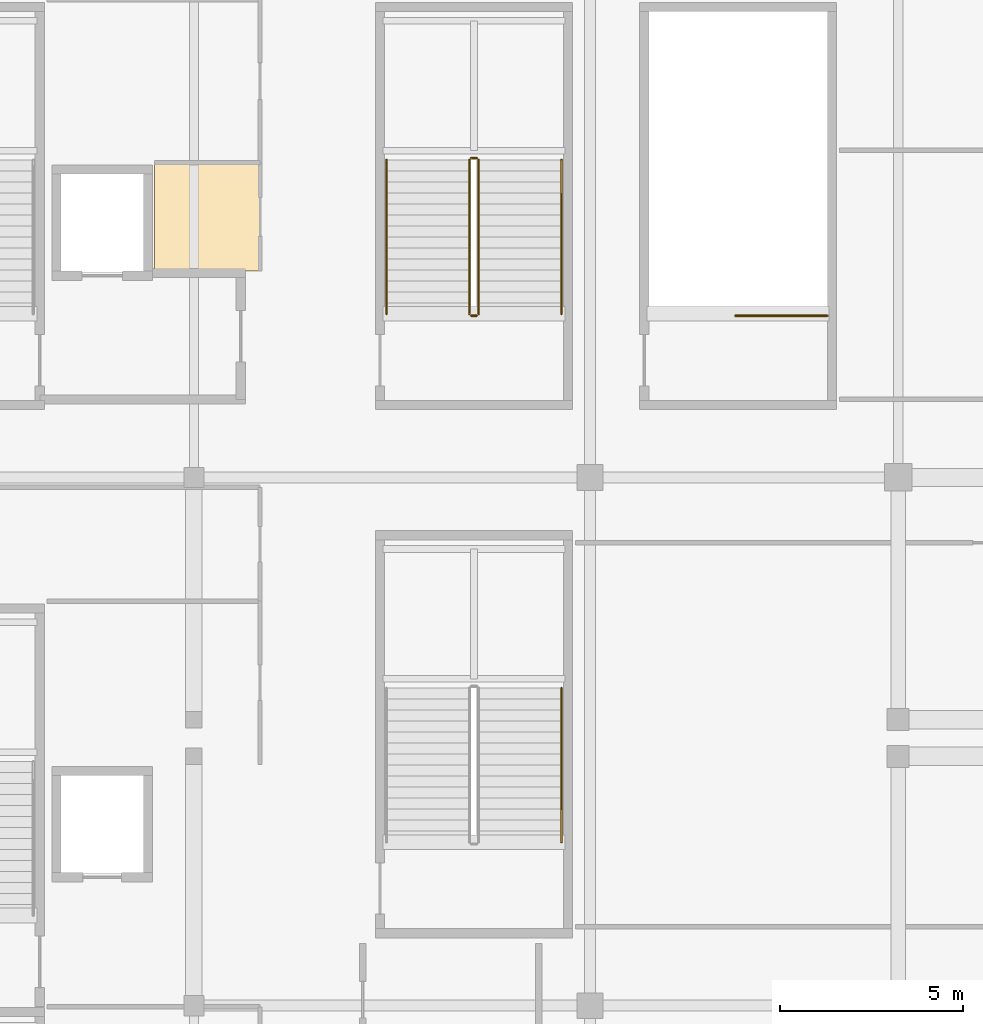
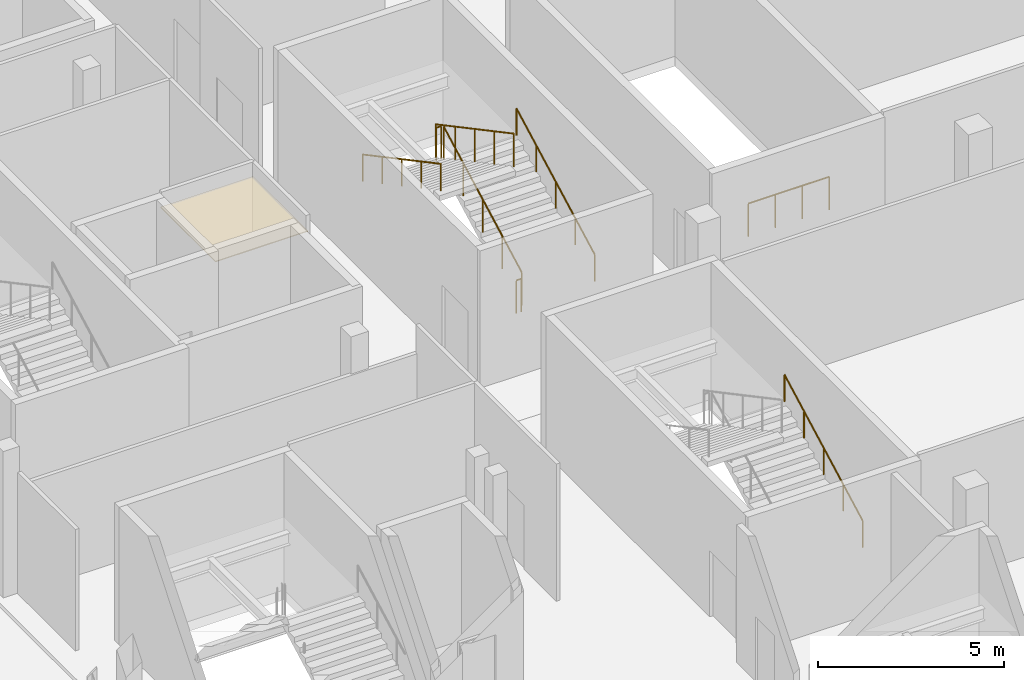
# One storey, part 105 of 129: 8 railings, 1 covering.
"""IFC4 building model written with IfcOpenShell, lengths in metres."""

from ifc_helpers import new_model, si_unit, direction, frame, origin, origin_2d, place, context, subcontext, project, spatial, polyline, circle, outline, extrude, material, layer, layer_set, type_object, element, save


model = new_model("IFC4")

# Units and contexts
model_context = context("Model", 3, precision=1e-05, world=origin(), true_north=direction((0.0, 1.0)))
body_context = subcontext(model_context, "Body", "Model", "MODEL_VIEW")
ifc_project = project(units=[si_unit("LENGTHUNIT", "METRE"), si_unit("AREAUNIT", "SQUARE_METRE"), si_unit("VOLUMEUNIT", "CUBIC_METRE"), si_unit("PLANEANGLEUNIT", "RADIAN"), si_unit("MASSUNIT", "GRAM", prefix="KILO")], contexts=[model_context])

# Site, building, storey
site_placement = place(None, origin())
site = spatial("IfcSite", under=ifc_project, at=site_placement, CompositionType="ELEMENT")
building_placement = place(site_placement, origin())
building = spatial("IfcBuilding", under=site, at=building_placement, Name="Koshinbarg Plaza Stadium", CompositionType="ELEMENT")
storey_placement = place(building_placement, frame((0.0, 0.0, 5.39990234375)))
storey = spatial("IfcBuildingStorey", under=building, at=storey_placement, Name="L01", CompositionType="ELEMENT", Elevation=5.39990234375)

# Covering
ifc_material_1 = material(Name="Perforated gypsum acoustic ceiling board")
ifc_layer = layer(ifc_material_1, 0.030029296875)
ifc_layer_set = layer_set([ifc_layer], Name="Perforated gypsum acoustic ceiling board")
covering_type = type_object("IfcCoveringType", Name="COV-CEIL-01", PredefinedType="CEILING", material=ifc_layer_set)
covering_placement = place(storey_placement, frame((0.0, 0.0, 3.9501953125)))
element("IfcCovering", 1, at=covering_placement, inside=storey, type_object=covering_type, Name="L01 Supporters' Club Lounge acoustic ceiling 006", PredefinedType="CEILING", context=body_context, shape_type="SweptSolid", body=[
    extrude(outline(polyline([(34.330078125, 88.72998046875), (37.199951171875, 88.72998046875), (37.199951171875, 91.679931640625), (34.330078125, 91.679931640625), (34.330078125, 88.72998046875)])), origin(), (0.0, 0.0, 1.0), 0.02978515625),
])

# Railings
ifc_material_2 = material(Name="Galvanized painted steel guardrail", Category="steel")
railing_type_1 = type_object("IfcRailingType", Name="RL-GUARD-1100", PredefinedType="GUARDRAIL", material=ifc_material_2)
railing_1_placement = place(storey_placement, frame((43.159912109375, 87.56005859375, 0.16015625)))
element("IfcRailing", 2, at=railing_1_placement, inside=storey, type_object=railing_type_1, Name="L01 VX05 stair guard 1", PredefinedType="GUARDRAIL", context=body_context, shape_type="SweptSolid", body=[
    extrude(circle(Radius=0.02392578125, at=origin_2d()), frame((0.0, 0.0, 1.076171875), z_axis=(0.0, 0.882351521365, 0.470590897432), x_axis=(-1.0, 0.0, 0.0)), (0.0, 0.0, 1.0), 4.760009765625),
    extrude(circle(Radius=0.02099609375, at=origin_2d()), origin(), (0.0, 0.0, 1.0), 1.052001953125),
    extrude(circle(Radius=0.02099609375, at=origin_2d()), frame((0.0, 1.050048828125, 0.56005859375)), (0.0, 0.0, 1.0), 1.052001953125),
    extrude(circle(Radius=0.02099609375, at=origin_2d()), frame((0.0, 2.10009765625, 1.1201171875)), (0.0, 0.0, 1.0), 1.052001953125),
    extrude(circle(Radius=0.02099609375, at=origin_2d()), frame((0.0, 3.14990234375, 1.679931640625)), (0.0, 0.0, 1.0), 1.052001953125),
    extrude(circle(Radius=0.02099609375, at=origin_2d()), frame((0.0, 4.199951171875, 2.239990234375)), (0.0, 0.0, 1.0), 1.052001953125),
])
railing_2_placement = place(storey_placement, frame((43.110107421875, 91.81005859375, 2.400146484375)))
element("IfcRailing", 3, at=railing_2_placement, inside=storey, type_object=railing_type_1, Name="L01 VX05 stair guard 2", PredefinedType="GUARDRAIL", context=body_context, shape_type="SweptSolid", body=[
    extrude(circle(Radius=0.02392578125, at=origin_2d()), frame((0.0, 0.0, 1.076171875), z_axis=(-1.0, 0.0, 0.0), x_axis=(0.0, -1.0, 0.0)), (0.0, 0.0, 1.0), 0.150146484375),
    extrude(circle(Radius=0.02099609375, at=origin_2d()), origin(), (0.0, 0.0, 1.0), 1.052001953125),
    extrude(circle(Radius=0.02099609375, at=origin_2d()), frame((-0.150146484375, 0.0, 0.0)), (0.0, 0.0, 1.0), 1.052001953125),
])
railing_3_placement = place(storey_placement, frame((42.909912109375, 91.760009765625, 2.56005859375)))
element("IfcRailing", 4, at=railing_3_placement, inside=storey, type_object=railing_type_1, Name="L01 VX05 stair guard 3", PredefinedType="GUARDRAIL", context=body_context, shape_type="SweptSolid", body=[
    extrude(circle(Radius=0.02392578125, at=origin_2d()), frame((0.0, 0.0, 1.076171875), z_axis=(0.0, -0.882351521365, 0.470590897432), x_axis=(1.0, 0.0, 0.0)), (0.0, 0.0, 1.0), 4.760009765625),
    extrude(circle(Radius=0.02099609375, at=origin_2d()), origin(), (0.0, 0.0, 1.0), 1.052001953125),
    extrude(circle(Radius=0.02099609375, at=origin_2d()), frame((0.0, -1.050048828125, 0.56005859375)), (0.0, 0.0, 1.0), 1.052001953125),
    extrude(circle(Radius=0.02099609375, at=origin_2d()), frame((0.0, -2.10009765625, 1.1201171875)), (0.0, 0.0, 1.0), 1.052001953125),
    extrude(circle(Radius=0.02099609375, at=origin_2d()), frame((0.0, -3.14990234375, 1.679931640625)), (0.0, 0.0, 1.0), 1.052001953125),
    extrude(circle(Radius=0.02099609375, at=origin_2d()), frame((0.0, -4.199951171875, 2.239990234375)), (0.0, 0.0, 1.0), 1.052001953125),
])
railing_4_placement = place(storey_placement, frame((43.110107421875, 87.510009765625, 0.0)))
element("IfcRailing", 5, at=railing_4_placement, inside=storey, type_object=railing_type_1, Name="L01 VX05 stair guard 4", PredefinedType="GUARDRAIL", context=body_context, shape_type="SweptSolid", body=[
    extrude(circle(Radius=0.02392578125, at=origin_2d()), frame((0.0, 0.0, 1.076171875), z_axis=(-1.0, 0.0, 0.0), x_axis=(0.0, -1.0, 0.0)), (0.0, 0.0, 1.0), 0.150146484375),
    extrude(circle(Radius=0.02099609375, at=origin_2d()), origin(), (0.0, 0.0, 1.0), 1.052001953125),
    extrude(circle(Radius=0.02099609375, at=origin_2d()), frame((-0.150146484375, 0.0, 0.0)), (0.0, 0.0, 1.0), 1.052001953125),
])
railing_5_placement = place(storey_placement, frame((52.669921875, 87.510009765625, 0.0)))
element("IfcRailing", 6, at=railing_5_placement, inside=storey, type_object=railing_type_1, Name="L01 VL03 top stairwell guard 1", PredefinedType="GUARDRAIL", context=body_context, shape_type="SweptSolid", body=[
    extrude(circle(Radius=0.02392578125, at=origin_2d()), frame((0.0, 0.0, 1.076171875), z_axis=(-1.0, 0.0, 0.0), x_axis=(0.0, -1.0, 0.0)), (0.0, 0.0, 1.0), 2.510009765625),
    extrude(circle(Radius=0.02099609375, at=origin_2d()), origin(), (0.0, 0.0, 1.0), 1.052001953125),
    extrude(circle(Radius=0.02099609375, at=origin_2d()), frame((-0.836669921875, 0.0, 0.0)), (0.0, 0.0, 1.0), 1.052001953125),
    extrude(circle(Radius=0.02099609375, at=origin_2d()), frame((-1.67333984375, 0.0, 0.0)), (0.0, 0.0, 1.0), 1.052001953125),
    extrude(circle(Radius=0.02099609375, at=origin_2d()), frame((-2.510009765625, 0.0, 0.0)), (0.0, 0.0, 1.0), 1.052001953125),
])
ifc_material_3 = material(Name="Brushed stainless steel handrail", Category="steel")
railing_type_2 = type_object("IfcRailingType", Name="RL-HAND-900", PredefinedType="HANDRAIL", material=ifc_material_3)
railing_6_placement = place(storey_placement, frame((45.419921875, 73.159912109375, 0.16015625)))
element("IfcRailing", 7, at=railing_6_placement, inside=storey, type_object=railing_type_2, Name="L01 VX04 stair handrail 1", PredefinedType="HANDRAIL", context=body_context, shape_type="SweptSolid", body=[
    extrude(circle(Radius=0.02392578125, at=origin_2d()), frame((0.0, 0.0, 0.8759765625), z_axis=(0.0, 0.882362879185, 0.470569601054), x_axis=(-1.0, 0.0, 0.0)), (0.0, 0.0, 1.0), 4.76025390625),
    extrude(circle(Radius=0.02099609375, at=origin_2d()), origin(), (0.0, 0.0, 1.0), 0.851806640625),
    extrude(circle(Radius=0.02099609375, at=origin_2d()), frame((0.0, 1.050048828125, 0.56005859375)), (0.0, 0.0, 1.0), 0.851806640625),
    extrude(circle(Radius=0.02099609375, at=origin_2d()), frame((0.0, 2.10009765625, 1.1201171875)), (0.0, 0.0, 1.0), 0.851806640625),
    extrude(circle(Radius=0.02099609375, at=origin_2d()), frame((0.0, 3.150146484375, 1.679931640625)), (0.0, 0.0, 1.0), 0.851806640625),
    extrude(circle(Radius=0.02099609375, at=origin_2d()), frame((0.0, 4.2001953125, 2.239990234375)), (0.0, 0.0, 1.0), 0.851806640625),
])
railing_7_placement = place(storey_placement, frame((45.419921875, 87.56005859375, 0.16015625)))
element("IfcRailing", 8, at=railing_7_placement, inside=storey, type_object=railing_type_2, Name="L01 VX05 stair handrail 1", PredefinedType="HANDRAIL", context=body_context, shape_type="SweptSolid", body=[
    extrude(circle(Radius=0.02392578125, at=origin_2d()), frame((0.0, 0.0, 0.8759765625), z_axis=(0.0, 0.882351521365, 0.470590897432), x_axis=(-1.0, 0.0, 0.0)), (0.0, 0.0, 1.0), 4.760009765625),
    extrude(circle(Radius=0.02099609375, at=origin_2d()), origin(), (0.0, 0.0, 1.0), 0.851806640625),
    extrude(circle(Radius=0.02099609375, at=origin_2d()), frame((0.0, 1.050048828125, 0.56005859375)), (0.0, 0.0, 1.0), 0.851806640625),
    extrude(circle(Radius=0.02099609375, at=origin_2d()), frame((0.0, 2.10009765625, 1.1201171875)), (0.0, 0.0, 1.0), 0.851806640625),
    extrude(circle(Radius=0.02099609375, at=origin_2d()), frame((0.0, 3.14990234375, 1.679931640625)), (0.0, 0.0, 1.0), 0.851806640625),
    extrude(circle(Radius=0.02099609375, at=origin_2d()), frame((0.0, 4.199951171875, 2.239990234375)), (0.0, 0.0, 1.0), 0.851806640625),
])
railing_8_placement = place(storey_placement, frame((40.64990234375, 91.760009765625, 2.56005859375)))
element("IfcRailing", 9, at=railing_8_placement, inside=storey, type_object=railing_type_2, Name="L01 VX05 stair handrail 2", PredefinedType="HANDRAIL", context=body_context, shape_type="SweptSolid", body=[
    extrude(circle(Radius=0.02392578125, at=origin_2d()), frame((0.0, 0.0, 0.8759765625), z_axis=(0.0, -0.882351521365, 0.470590897432), x_axis=(1.0, 0.0, 0.0)), (0.0, 0.0, 1.0), 4.760009765625),
    extrude(circle(Radius=0.02099609375, at=origin_2d()), origin(), (0.0, 0.0, 1.0), 0.851806640625),
    extrude(circle(Radius=0.02099609375, at=origin_2d()), frame((0.0, -1.050048828125, 0.56005859375)), (0.0, 0.0, 1.0), 0.851806640625),
    extrude(circle(Radius=0.02099609375, at=origin_2d()), frame((0.0, -2.10009765625, 1.1201171875)), (0.0, 0.0, 1.0), 0.851806640625),
    extrude(circle(Radius=0.02099609375, at=origin_2d()), frame((0.0, -3.14990234375, 1.679931640625)), (0.0, 0.0, 1.0), 0.851806640625),
    extrude(circle(Radius=0.02099609375, at=origin_2d()), frame((0.0, -4.199951171875, 2.239990234375)), (0.0, 0.0, 1.0), 0.851806640625),
])

save(model, "model.ifc")
